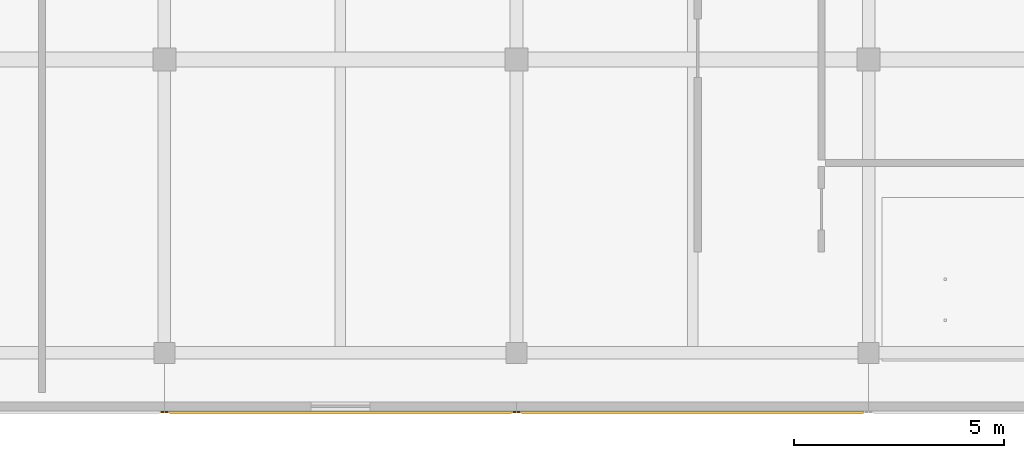
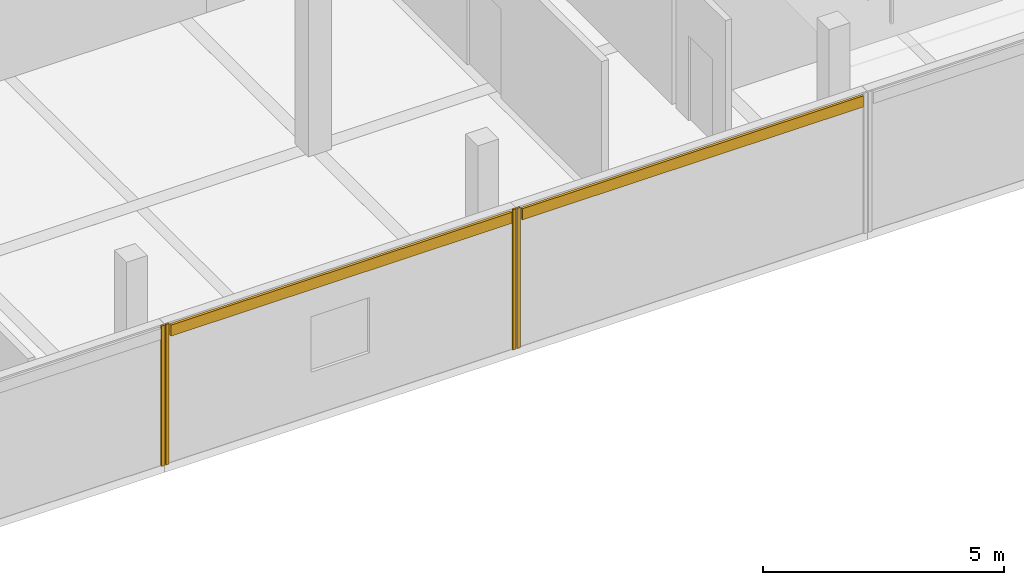
# One storey, part 7 of 11: 6 coverings.
"""IFC4 building model written with IfcOpenShell, lengths in metres."""

from ifc_helpers import new_model, si_unit, direction, frame, origin, origin_2d, place, context, subcontext, project, spatial, rectangle, extrude, material, layer, layer_set, type_object, element, save


model = new_model("IFC4")

# Units and contexts
model_context = context("Model", 3, precision=1e-05, world=origin(), true_north=direction((0.0, 1.0)))
body_context = subcontext(model_context, "Body", "Model", "MODEL_VIEW")
ifc_project = project(units=[si_unit("LENGTHUNIT", "METRE"), si_unit("AREAUNIT", "SQUARE_METRE"), si_unit("VOLUMEUNIT", "CUBIC_METRE"), si_unit("PLANEANGLEUNIT", "RADIAN"), si_unit("MASSUNIT", "GRAM", prefix="KILO")], contexts=[model_context])

# Site, building, storey
site_placement = place(None, origin())
site = spatial("IfcSite", under=ifc_project, at=site_placement, CompositionType="ELEMENT")
building_placement = place(site_placement, origin())
building = spatial("IfcBuilding", under=site, at=building_placement, Name="Telukmera Botanical Conservatory", CompositionType="ELEMENT")
storey_placement = place(building_placement, frame((0.0, 0.0, 73.5)))
storey = spatial("IfcBuildingStorey", under=building, at=storey_placement, Name="L16", CompositionType="ELEMENT", Elevation=73.5)

# Coverings
ifc_material_1 = material(Name="Granite-faced precast concrete C40/50", Category="masonry")
ifc_layer_1 = layer(ifc_material_1, 0.0400390625)
ifc_layer_set_1 = layer_set([ifc_layer_1], Name="Granite-faced precast concrete C40/50")
covering_type_1 = type_object("IfcCoveringType", Name="Granite Precast Column Pier Reveal Casing", PredefinedType="CLADDING", material=ifc_layer_set_1)
for number, where, z_axis, x_axis, name in (
    (1, (75.548095703125, 9.18994140625, 0.0), (0.0, 0.0, 1.0), (1.0, 0.0, 0.0), "Granite Pier Reveal V4:L16:S2 R"),
    (2, (75.652099609375, 9.18994140625, 0.0), (0.0, 0.0, 1.0), (1.0, 0.0, 0.0), "Granite Pier Reveal V4:L16:S3 L"),
    (3, (83.947998046875, 9.18994140625, 0.0), (0.0, 0.0, 1.0), (1.0, 0.0, 0.0), "Granite Pier Reveal V4:L16:S3 R"),
    (4, (84.052001953125, 9.18994140625, 0.0), (0.0, 0.0, 1.0), (1.0, 0.0, 0.0), "Granite Pier Reveal V4:L16:S4 L"),
):
    element("IfcCovering", number, at=place(storey_placement, frame(where, z_axis=z_axis, x_axis=x_axis)), inside=storey, type_object=covering_type_1, Name=name, PredefinedType="CLADDING", context=body_context, shape_type="SweptSolid", body=[
        extrude(rectangle(XDim=0.080078125, YDim=0.0400390625, at=origin_2d()), origin(), (0.0, 0.0, 1.0), 3.550048828125),
    ])
ifc_material_2 = material(Name="Terracotta-faced precast concrete C40/50", Category="masonry")
ifc_layer_2 = layer(ifc_material_2, 0.06005859375)
ifc_layer_set_2 = layer_set([ifc_layer_2], Name="Terracotta-faced precast concrete C40/50")
covering_type_2 = type_object("IfcCoveringType", Name="Polychrome Terracotta Facade Band Cladding", PredefinedType="CLADDING", material=ifc_layer_set_2)
for number, where, z_axis, x_axis, name in (
    (5, (79.800048828125, 9.179931640625, 3.22998046875), (0.0, 0.0, 1.0), (1.0, 0.0, 0.0), "Polychrome Terracotta Band V4:L16:S3"),
    (6, (88.199951171875, 9.179931640625, 3.22998046875), (0.0, 0.0, 1.0), (1.0, 0.0, 0.0), "Polychrome Terracotta Band V4:L16:S4"),
):
    element("IfcCovering", number, at=place(storey_placement, frame(where, z_axis=z_axis, x_axis=x_axis)), inside=storey, type_object=covering_type_2, Name=name, PredefinedType="CLADDING", context=body_context, shape_type="SweptSolid", body=[
        extrude(rectangle(XDim=8.156005859375, YDim=0.06005859375, at=origin_2d()), origin(), (0.0, 0.0, 1.0), 0.280029296875),
    ])

save(model, "model.ifc")
